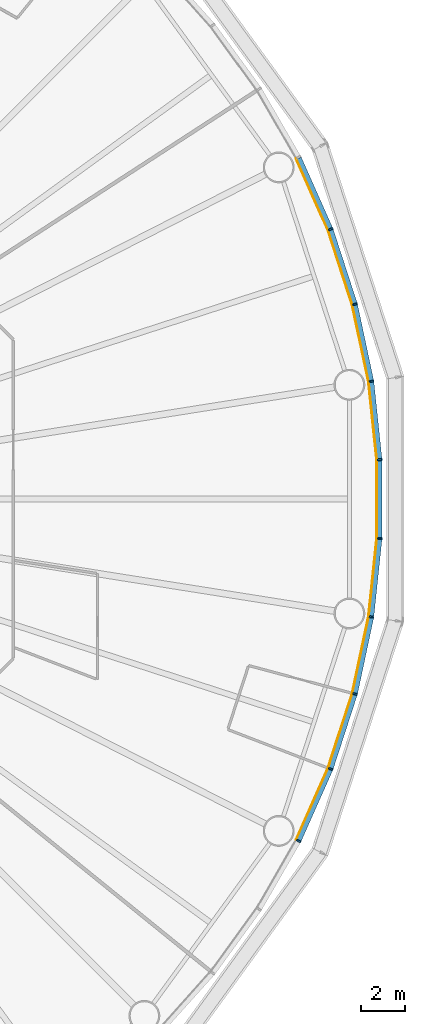
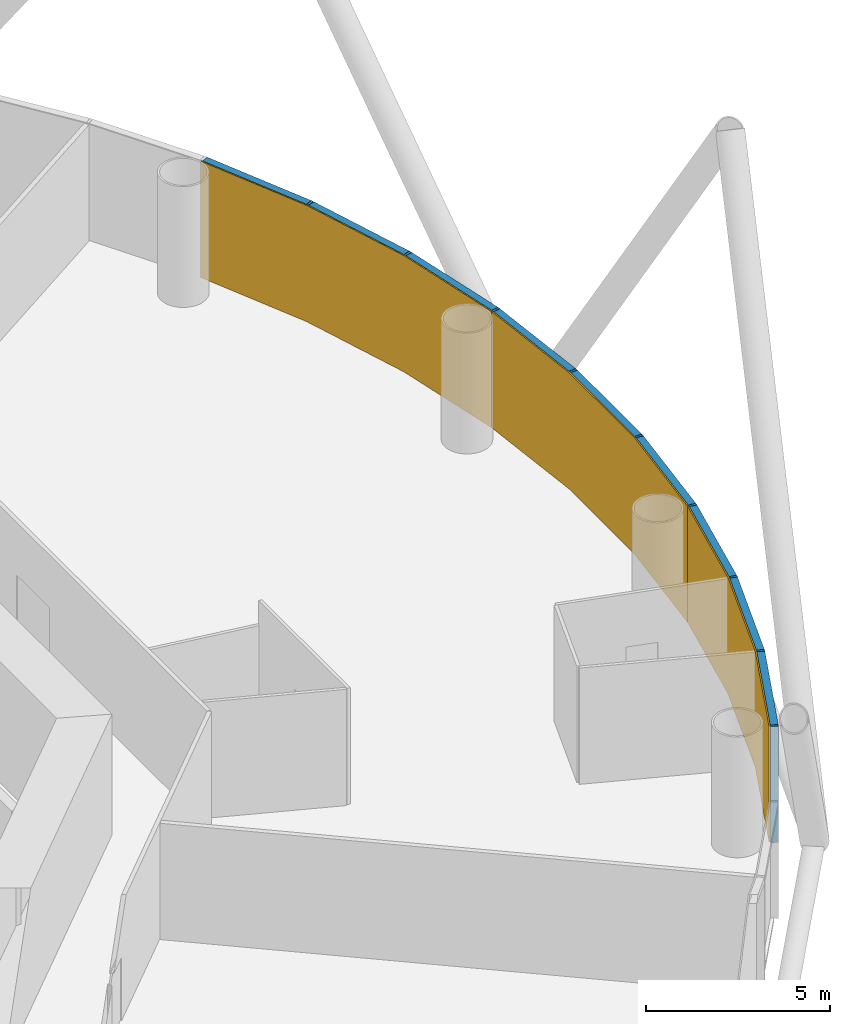
# One storey, part 11 of 13: 18 members, 3 curtain walls.
"""IFC4 building model written with IfcOpenShell, lengths in metres."""

from ifc_helpers import new_model, si_unit, direction, frame, origin, origin_2d, place, context, subcontext, project, spatial, polyline, rectangle, outline, extrude, material, layer, layer_set, material_profile, profile_set, type_object, element, aggregate, save


model = new_model("IFC4")

# Units and contexts
model_context = context("Model", 3, precision=1e-05, world=origin(), true_north=direction((0.0, 1.0)))
body_context = subcontext(model_context, "Body", "Model", "MODEL_VIEW")
ifc_project = project(units=[si_unit("LENGTHUNIT", "METRE"), si_unit("AREAUNIT", "SQUARE_METRE"), si_unit("VOLUMEUNIT", "CUBIC_METRE"), si_unit("PLANEANGLEUNIT", "RADIAN"), si_unit("MASSUNIT", "GRAM", prefix="KILO")], contexts=[model_context])

# Member
ifc_material_1 = material(Name="Anodised aluminium", Category="aluminium")
ifc_material_profile_1 = material_profile(ifc_material_1, rectangle(XDim=0.074951171875, YDim=0.219970703125, at=origin_2d()), Name="Mullion 75 x 220 mm anodised aluminium")
ifc_profile_set_1 = profile_set([ifc_material_profile_1], Name="Anodised aluminium")
member_type_1 = type_object("IfcMemberType", Name="Mullion 75 x 220 mm anodised aluminium", PredefinedType="MULLION", material=ifc_profile_set_1)
site_placement = place(None, origin())
building_placement = place(site_placement, origin())
storey_placement = place(building_placement, frame((0.0, 0.0, 38.0)))
member_1_placement = place(storey_placement, frame((123.68994140625, 85.3359375, 0.0), z_axis=(0.0, 0.0, 1.0), x_axis=(-0.15643446504, 0.987688340595, 0.0)))
member_1 = element("IfcMember", 1, at=member_1_placement, type_object=member_type_1, Name="MULLION L07-00", PredefinedType="MULLION", context=body_context, shape_type="SweptSolid", body=[
    extrude(rectangle(XDim=0.074951171875, YDim=0.219970703125, at=origin_2d()), origin(), (0.0, 0.0, 1.0), 3.85009765625),
])

member_2_placement = place(storey_placement, frame((122.94775390625, 88.828369140625, 0.0), z_axis=(0.0, 0.0, 1.0), x_axis=(-0.258819045103, 0.965925826289, 0.0)))
member_2 = element("IfcMember", 2, at=member_2_placement, type_object=member_type_1, Name="MULLION L07-01", PredefinedType="MULLION", context=body_context, shape_type="SweptSolid", body=[
    extrude(rectangle(XDim=0.074951171875, YDim=0.219970703125, at=origin_2d()), origin(), (0.0, 0.0, 1.0), 3.85009765625),
])

member_3_placement = place(storey_placement, frame((121.844482421875, 92.223876953125, 0.0), z_axis=(0.0, 0.0, 1.0), x_axis=(-0.358367949545, 0.933580426497, 0.0)))
member_3 = element("IfcMember", 3, at=member_3_placement, type_object=member_type_1, Name="MULLION L07-02", PredefinedType="MULLION", context=body_context, shape_type="SweptSolid", body=[
    extrude(rectangle(XDim=0.074951171875, YDim=0.219970703125, at=origin_2d()), origin(), (0.0, 0.0, 1.0), 3.85009765625),
])

member_4_placement = place(storey_placement, frame((120.392333984375, 64.514404296875, 0.0), z_axis=(0.0, 0.0, 1.0), x_axis=(0.45399049974, 0.891006524188, 0.0)))
member_4 = element("IfcMember", 4, at=member_4_placement, type_object=member_type_1, Name="MULLION L07-54", PredefinedType="MULLION", context=body_context, shape_type="SweptSolid", body=[
    extrude(rectangle(XDim=0.074951171875, YDim=0.219970703125, at=origin_2d()), origin(), (0.0, 0.0, 1.0), 3.85009765625),
])

member_5_placement = place(storey_placement, frame((121.844482421875, 67.776123046875, 0.0), z_axis=(0.0, 0.0, 1.0), x_axis=(0.358367949545, 0.933580426497, 0.0)))
member_5 = element("IfcMember", 5, at=member_5_placement, type_object=member_type_1, Name="MULLION L07-55", PredefinedType="MULLION", context=body_context, shape_type="SweptSolid", body=[
    extrude(rectangle(XDim=0.074951171875, YDim=0.219970703125, at=origin_2d()), origin(), (0.0, 0.0, 1.0), 3.85009765625),
])

member_6_placement = place(storey_placement, frame((122.94775390625, 71.171630859375, 0.0), z_axis=(0.0, 0.0, 1.0), x_axis=(0.258819045103, 0.965925826289, 0.0)))
member_6 = element("IfcMember", 6, at=member_6_placement, type_object=member_type_1, Name="MULLION L07-56", PredefinedType="MULLION", context=body_context, shape_type="SweptSolid", body=[
    extrude(rectangle(XDim=0.074951171875, YDim=0.219970703125, at=origin_2d()), origin(), (0.0, 0.0, 1.0), 3.85009765625),
])

member_7_placement = place(storey_placement, frame((123.68994140625, 74.6640625, 0.0), z_axis=(0.0, 0.0, 1.0), x_axis=(0.15643446504, 0.987688340595, 0.0)))
member_7 = element("IfcMember", 7, at=member_7_placement, type_object=member_type_1, Name="MULLION L07-57", PredefinedType="MULLION", context=body_context, shape_type="SweptSolid", body=[
    extrude(rectangle(XDim=0.074951171875, YDim=0.219970703125, at=origin_2d()), origin(), (0.0, 0.0, 1.0), 3.85009765625),
])

member_8_placement = place(storey_placement, frame((124.063232421875, 78.21484375, 0.0), z_axis=(0.0, 0.0, 1.0), x_axis=(0.052335956243, 0.998629534755, 0.0)))
member_8 = element("IfcMember", 8, at=member_8_placement, type_object=member_type_1, Name="MULLION L07-58", PredefinedType="MULLION", context=body_context, shape_type="SweptSolid", body=[
    extrude(rectangle(XDim=0.074951171875, YDim=0.219970703125, at=origin_2d()), origin(), (0.0, 0.0, 1.0), 3.85009765625),
])

member_9_placement = place(storey_placement, frame((124.063232421875, 81.78515625, 0.0), z_axis=(0.0, 0.0, 1.0), x_axis=(-0.052335956243, 0.998629534755, 0.0)))
member_9 = element("IfcMember", 9, at=member_9_placement, type_object=member_type_1, Name="MULLION L07-59", PredefinedType="MULLION", context=body_context, shape_type="SweptSolid", body=[
    extrude(rectangle(XDim=0.074951171875, YDim=0.219970703125, at=origin_2d()), origin(), (0.0, 0.0, 1.0), 3.85009765625),
])

ifc_material_2 = material(Name="Anodised aluminium", Category="aluminium")
ifc_material_profile_2 = material_profile(ifc_material_2, rectangle(XDim=0.219970703125, YDim=0.199951171875, at=origin_2d()), Name="Transom 200 x 220 mm anodised aluminium")
ifc_profile_set_2 = profile_set([ifc_material_profile_2], Name="Anodised aluminium")
member_type_2 = type_object("IfcMemberType", Name="Transom 200 x 220 mm anodised aluminium", PredefinedType="USERDEFINED", material=ifc_profile_set_2)
member_10_placement = place(storey_placement, frame((123.68115234375, 85.37841796875, 3.75), z_axis=(-0.207920776701, 0.978145669426, 0.0), x_axis=(-0.978145669426, -0.207920776701, 0.0)))
member_10 = element("IfcMember", 10, at=member_10_placement, type_object=member_type_2, Name="TRANSOM L07-00", ObjectType="TRANSOM", PredefinedType="USERDEFINED", context=body_context, shape_type="SweptSolid", body=[
    extrude(rectangle(XDim=0.219970703125, YDim=0.199951171875, at=origin_2d()), origin(), (0.0, 0.0, 1.0), 3.48388671875),
])

member_11_placement = place(storey_placement, frame((122.9345703125, 88.869384765625, 3.75), z_axis=(-0.309029029702, 0.951052605696, 0.0), x_axis=(-0.951052605696, -0.309029029702, 0.0)))
member_11 = element("IfcMember", 11, at=member_11_placement, type_object=member_type_2, Name="TRANSOM L07-01", ObjectType="TRANSOM", PredefinedType="USERDEFINED", context=body_context, shape_type="SweptSolid", body=[
    extrude(rectangle(XDim=0.219970703125, YDim=0.199951171875, at=origin_2d()), origin(), (0.0, 0.0, 1.0), 3.484130859375),
])

member_12_placement = place(storey_placement, frame((121.826904296875, 92.263427734375, 3.75), z_axis=(-0.406736576304, 0.913545487371, 0.0), x_axis=(-0.913545487371, -0.406736576304, 0.0)))
member_12 = element("IfcMember", 12, at=member_12_placement, type_object=member_type_2, Name="TRANSOM L07-02", ObjectType="TRANSOM", PredefinedType="USERDEFINED", context=body_context, shape_type="SweptSolid", body=[
    extrude(rectangle(XDim=0.219970703125, YDim=0.199951171875, at=origin_2d()), origin(), (0.0, 0.0, 1.0), 3.48388671875),
])

member_13_placement = place(storey_placement, frame((120.409912109375, 64.553955078125, 3.75), z_axis=(0.406736576304, 0.913545487371, 0.0), x_axis=(-0.913545487371, 0.406736576304, 0.0)))
member_13 = element("IfcMember", 13, at=member_13_placement, type_object=member_type_2, Name="TRANSOM L07-54", ObjectType="TRANSOM", PredefinedType="USERDEFINED", context=body_context, shape_type="SweptSolid", body=[
    extrude(rectangle(XDim=0.219970703125, YDim=0.199951171875, at=origin_2d()), origin(), (0.0, 0.0, 1.0), 3.48388671875),
])

member_14_placement = place(storey_placement, frame((121.85791015625, 67.817138671875, 3.75), z_axis=(0.309029029702, 0.951052605696, 0.0), x_axis=(-0.951052605696, 0.309029029702, 0.0)))
member_14 = element("IfcMember", 14, at=member_14_placement, type_object=member_type_2, Name="TRANSOM L07-55", ObjectType="TRANSOM", PredefinedType="USERDEFINED", context=body_context, shape_type="SweptSolid", body=[
    extrude(rectangle(XDim=0.219970703125, YDim=0.199951171875, at=origin_2d()), origin(), (0.0, 0.0, 1.0), 3.484130859375),
])

member_15_placement = place(storey_placement, frame((122.956787109375, 71.2138671875, 3.75), z_axis=(0.207920776701, 0.978145669426, 0.0), x_axis=(-0.978145669426, 0.207920776701, 0.0)))
member_15 = element("IfcMember", 15, at=member_15_placement, type_object=member_type_2, Name="TRANSOM L07-56", ObjectType="TRANSOM", PredefinedType="USERDEFINED", context=body_context, shape_type="SweptSolid", body=[
    extrude(rectangle(XDim=0.219970703125, YDim=0.199951171875, at=origin_2d()), origin(), (0.0, 0.0, 1.0), 3.48388671875),
])

member_16_placement = place(storey_placement, frame((123.69482421875, 74.70703125, 3.75), z_axis=(0.104484152234, 0.994526551648, 0.0), x_axis=(-0.994526551648, 0.104484152234, 0.0)))
member_16 = element("IfcMember", 16, at=member_16_placement, type_object=member_type_2, Name="TRANSOM L07-57", ObjectType="TRANSOM", PredefinedType="USERDEFINED", context=body_context, shape_type="SweptSolid", body=[
    extrude(rectangle(XDim=0.219970703125, YDim=0.199951171875, at=origin_2d()), origin(), (0.0, 0.0, 1.0), 3.48388671875),
])

member_17_placement = place(storey_placement, frame((124.0634765625, 78.258056640625, 3.75), z_axis=(0.0, 1.0, 0.0), x_axis=(-1.0, 0.0, 0.0)))
member_17 = element("IfcMember", 17, at=member_17_placement, type_object=member_type_2, Name="TRANSOM L07-58", ObjectType="TRANSOM", PredefinedType="USERDEFINED", context=body_context, shape_type="SweptSolid", body=[
    extrude(rectangle(XDim=0.219970703125, YDim=0.199951171875, at=origin_2d()), origin(), (0.0, 0.0, 1.0), 3.48388671875),
])

member_18_placement = place(storey_placement, frame((124.058837890625, 81.828125, 3.75), z_axis=(-0.104484152234, 0.994526551648, 0.0), x_axis=(-0.994526551648, -0.104484152234, 0.0)))
member_18 = element("IfcMember", 18, at=member_18_placement, type_object=member_type_2, Name="TRANSOM L07-59", ObjectType="TRANSOM", PredefinedType="USERDEFINED", context=body_context, shape_type="SweptSolid", body=[
    extrude(rectangle(XDim=0.219970703125, YDim=0.199951171875, at=origin_2d()), origin(), (0.0, 0.0, 1.0), 3.48388671875),
])

# Site, building, storey
site = spatial("IfcSite", under=ifc_project, at=site_placement, CompositionType="ELEMENT")
building = spatial("IfcBuilding", under=site, at=building_placement, Name="Entoto Ring Tower", CompositionType="ELEMENT")
storey = spatial("IfcBuildingStorey", under=building, at=storey_placement, Name="L07", CompositionType="ELEMENT", Elevation=38.0)

# Curtain wall
ifc_material_3 = material(Name="Clear low-iron glass", Category="glass")
ifc_layer = layer(ifc_material_3, 0.0400390625)
ifc_layer_set = layer_set([ifc_layer], Name="Clear low-iron glass")
curtain_wall_type = type_object("IfcCurtainWallType", Name="Curtain wall system CW1 glazing 40 mm", PredefinedType="NOTDEFINED", material=ifc_layer_set)
curtain_wall_1_placement = place(storey_placement, origin())
curtain_wall_1 = element("IfcCurtainWall", 19, at=curtain_wall_1_placement, inside=storey, type_object=curtain_wall_type, Name="CW1 L07-01", PredefinedType="NOTDEFINED", context=body_context, shape_type="SweptSolid", body=[
    extrude(outline(polyline([(123.581298828125, 85.31884765625), (122.841552734375, 88.7998046875), (121.74169921875, 92.1845703125), (120.294189453125, 95.435791015625), (120.258544921875, 95.41748046875), (121.704345703125, 92.170166015625), (122.802734375, 88.78955078125), (123.541748046875, 85.3125), (123.581298828125, 85.31884765625)])), origin(), (0.0, 0.0, 1.0), 3.85009765625),
])

aggregate(curtain_wall_1, [member_1, member_2, member_3, member_10, member_11, member_12])

curtain_wall_2_placement = place(storey_placement, origin())
curtain_wall_2 = element("IfcCurtainWall", 20, at=curtain_wall_2_placement, inside=storey, type_object=curtain_wall_type, Name="CW1 L07-19", PredefinedType="NOTDEFINED", context=body_context, shape_type="SweptSolid", body=[
    extrude(outline(polyline([(120.294189453125, 64.564208984375), (121.74169921875, 67.8154296875), (122.841552734375, 71.2001953125), (123.581298828125, 74.68115234375), (123.541748046875, 74.6875), (122.802734375, 71.21044921875), (121.704345703125, 67.829833984375), (120.258544921875, 64.58251953125), (120.294189453125, 64.564208984375)])), origin(), (0.0, 0.0, 1.0), 3.85009765625),
])

aggregate(curtain_wall_2, [member_4, member_5, member_6, member_13, member_14, member_15])

curtain_wall_3_placement = place(storey_placement, origin())
curtain_wall_3 = element("IfcCurtainWall", 21, at=curtain_wall_3_placement, inside=storey, type_object=curtain_wall_type, Name="CW1 L07-20", PredefinedType="NOTDEFINED", context=body_context, shape_type="SweptSolid", body=[
    extrude(outline(polyline([(123.581298828125, 74.68115234375), (123.953369140625, 78.220458984375), (123.953369140625, 81.779541015625), (123.581298828125, 85.31884765625), (123.541748046875, 85.3125), (123.913330078125, 81.77734375), (123.913330078125, 78.22265625), (123.541748046875, 74.6875), (123.581298828125, 74.68115234375)])), origin(), (0.0, 0.0, 1.0), 3.85009765625),
])

aggregate(curtain_wall_3, [member_7, member_8, member_9, member_16, member_17, member_18])

save(model, "model.ifc")
